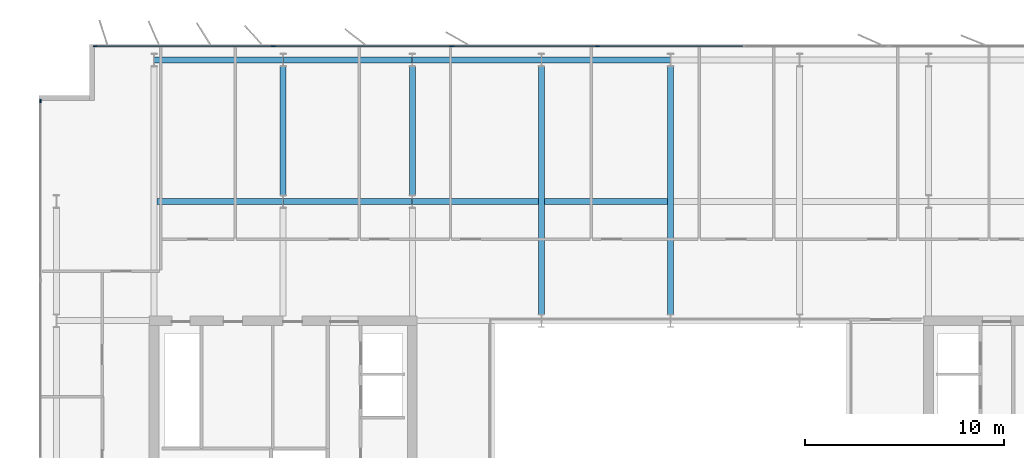
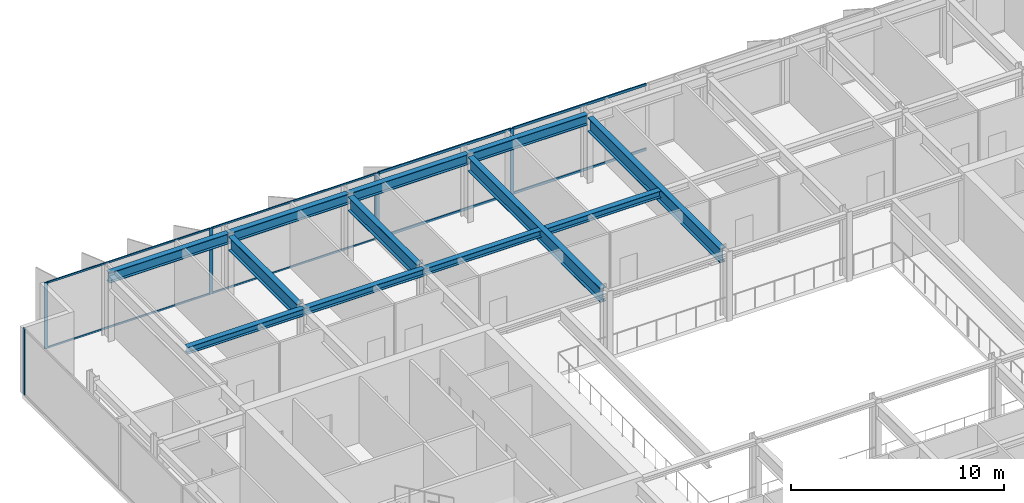
# One storey, part 8 of 20: 14 members, 12 beams, 3 elements without a shape of their own.
"""IFC4 building model written with IfcOpenShell, lengths in metres."""

import ifcopenshell
import ifcopenshell.guid

model = None  # the IFC model being written
_history = None  # IfcOwnerHistory: only IFC2X3 demands one
_inside = {}  # id of a spatial element -> (the spatial element, [elements in it])
_under = {}  # id of a project, library or spatial element -> (it, [spatial elements below it])
_declared = {}  # id of a project -> (the project, [libraries it declares])
_typed = {}  # id of a type object -> (the type object, [elements of that type])
_made_of = {}  # id of a material, layer set ... -> (it, [elements and type objects made of it])


def new_model(schema):
    """Start an empty IFC model of exactly this schema.

    Asked for "IFC4X3", IfcOpenShell would pick the latest addendum, in which some entities
    have other attributes; the version numbers below select the first issue.
    IFC2X3 requires an IfcOwnerHistory on every rooted entity: one is made here for all.
    """
    global model, _history
    if schema == "IFC4X3":
        model = ifcopenshell.file(schema_version=(4, 3, 0, 0))
    else:
        model = ifcopenshell.file(schema=schema)
    _inside.clear()
    _under.clear()
    _declared.clear()
    _typed.clear()
    _made_of.clear()
    _history = None
    if model.schema == "IFC2X3":
        org = make("IfcOrganization", Name="unknown")
        user = make(
            "IfcPersonAndOrganization",
            ThePerson=make("IfcPerson", FamilyName="unknown"),
            TheOrganization=org,
        )
        app = make(
            "IfcApplication",
            ApplicationDeveloper=org,
            Version="unknown",
            ApplicationFullName="unknown",
            ApplicationIdentifier="unknown",
        )
        _history = make(
            "IfcOwnerHistory",
            OwningUser=user,
            OwningApplication=app,
            ChangeAction="ADDED",
            CreationDate=0,
        )
    return model


def make(cls, **values):
    """One entity of the class cls with the attributes given. An attribute that is None is left unset."""
    return model.create_entity(
        cls, **{name: value for name, value in values.items() if value is not None}
    )


def rooted(cls, **values):
    """An entity with a GlobalId (a new one), such as an element, a storey or a relation."""
    return make(cls, GlobalId=ifcopenshell.guid.new(), OwnerHistory=_history, **values)


def si_unit(unit_type, name, prefix=None):
    """IfcSIUnit, for example si_unit("LENGTHUNIT", "METRE", prefix="MILLI")."""
    return make("IfcSIUnit", UnitType=unit_type, Prefix=prefix, Name=name)


def assignment(units):
    """IfcUnitAssignment: the units of a project."""
    return None if units is None else make("IfcUnitAssignment", Units=units)


def point(xyz):
    """IfcCartesianPoint."""
    return None if xyz is None else make("IfcCartesianPoint", Coordinates=xyz)


def direction(xyz):
    """IfcDirection."""
    return None if xyz is None else make("IfcDirection", DirectionRatios=xyz)


def frame(location, z_axis=None, x_axis=None):
    """IfcAxis2Placement3D, a coordinate frame: its origin and axes. An axis left out is left unset."""
    return make(
        "IfcAxis2Placement3D",
        Location=point(location),
        Axis=direction(z_axis),
        RefDirection=direction(x_axis),
    )


def frame_2d(location, x_axis=None):
    """IfcAxis2Placement2D, a coordinate frame in the plane: its origin and x axis."""
    return make(
        "IfcAxis2Placement2D", Location=point(location), RefDirection=direction(x_axis)
    )


def origin():
    """The frame at (0, 0, 0) with its axes left unset."""
    return frame((0.0, 0.0, 0.0))


def origin_2d():
    """The frame at (0, 0) in the plane with its x axis left unset."""
    return frame_2d((0.0, 0.0))


def place(relative_to, where):
    """IfcLocalPlacement: puts the frame where relative to a parent placement (None: the world)."""
    return make(
        "IfcLocalPlacement", PlacementRelTo=relative_to, RelativePlacement=where
    )


def context(
    kind, dimensions, precision=None, world=None, true_north=None, identifier=None
):
    """IfcGeometricRepresentationContext, for example the 3D "Model" context."""
    return make(
        "IfcGeometricRepresentationContext",
        ContextIdentifier=identifier,
        ContextType=kind,
        CoordinateSpaceDimension=dimensions,
        Precision=precision,
        WorldCoordinateSystem=world,
        TrueNorth=true_north,
    )


def subcontext(parent, identifier, kind, view, scale=None):
    """IfcGeometricRepresentationSubContext, for example "Body" below "Model"."""
    return make(
        "IfcGeometricRepresentationSubContext",
        ContextIdentifier=identifier,
        ContextType=kind,
        ParentContext=parent,
        TargetScale=scale,
        TargetView=view,
    )


def project(units=None, contexts=None):
    """IfcProject with its units and contexts."""
    return rooted(
        "IfcProject",
        Name="project",
        RepresentationContexts=contexts,
        UnitsInContext=assignment(units),
    )


def spatial(cls, under=None, at=None, **own):
    """A site, building, storey or space (cls), placed at a placement, below another one or the project."""
    s = rooted(cls, ObjectPlacement=at, **own)
    if under is not None:
        _under.setdefault(under.id(), (under, []))[1].append(s)
    return s


def profile(cls, at=None, kind="AREA", **sizes):
    """A parametric profile (cls). Its sizes go by their IFC names, for example OverallWidth=200.0."""
    return make(cls, ProfileType=kind, Position=at, **sizes)


def rectangle(**sizes):
    """IfcRectangleProfileDef."""
    return profile("IfcRectangleProfileDef", **sizes)


def i_section(**sizes):
    """IfcIShapeProfileDef."""
    return profile("IfcIShapeProfileDef", **sizes)


def extrude(swept, where, along, depth):
    """IfcExtrudedAreaSolid: the profile swept, set in the frame where, extruded along a direction by depth."""
    return make(
        "IfcExtrudedAreaSolid",
        SweptArea=swept,
        Position=where,
        ExtrudedDirection=direction(along),
        Depth=depth,
    )


def shape(context_of_items, identifier, shape_type, items):
    """IfcShapeRepresentation: the items that make up one representation, for example the "Body"."""
    return make(
        "IfcShapeRepresentation",
        ContextOfItems=context_of_items,
        RepresentationIdentifier=identifier,
        RepresentationType=shape_type,
        Items=items,
    )


def material(Name=None, Category=None):
    """IfcMaterial."""
    return make("IfcMaterial", Name=Name, Category=Category)


def layer(
    of_material, thickness, ventilated=None, Name=None, Category=None, Priority=None
):
    """IfcMaterialLayer: one layer of a wall or slab, of a material (None: an air gap)."""
    return make(
        "IfcMaterialLayer",
        Material=of_material,
        LayerThickness=thickness,
        IsVentilated=ventilated,
        Name=Name,
        Category=Category,
        Priority=Priority,
    )


def layer_set(layers, Name=None):
    """IfcMaterialLayerSet."""
    return make("IfcMaterialLayerSet", MaterialLayers=layers, LayerSetName=Name)


def material_profile(
    of_material, cross_section, Name=None, Category=None, Priority=None
):
    """IfcMaterialProfile: a cross section and its material."""
    return make(
        "IfcMaterialProfile",
        Name=Name,
        Material=of_material,
        Profile=cross_section,
        Priority=Priority,
        Category=Category,
    )


def profile_set(profiles, Name=None, composite=None):
    """IfcMaterialProfileSet."""
    return make(
        "IfcMaterialProfileSet",
        Name=Name,
        MaterialProfiles=profiles,
        CompositeProfile=composite,
    )


def made_of(thing, what):
    """Note that an element or type object is made of a material, layer set ...; save() writes the relation."""
    if what is not None:
        _made_of.setdefault(what.id(), (what, []))[1].append(thing)
    return thing


def type_object(cls, material=None, **own):
    """A type object (cls), such as IfcWallType, which elements share."""
    return made_of(rooted(cls, **own), material)


def element(
    cls,
    number,
    at=None,
    inside=None,
    cuts=None,
    type_object=None,
    material=None,
    context=None,
    identifier="Body",
    shape_type=None,
    held_by="IfcProductDefinitionShape",
    body=None,
    shapes=None,
    **own,
):
    """One element of the class cls, such as IfcWall. Its Tag is "e" and its number.

    at: its placement. inside: the storey or other place that contains it. cuts: it is an
    opening in that element (IfcRelVoidsElement). A single representation is given by context,
    identifier, shape_type and body (its items); several are given by shapes. held_by: the class
    of the entity that holds the representations. save() writes the other relations.
    """
    e = rooted(cls, Tag="e%d" % number, ObjectPlacement=at, **own)
    if body is not None:
        shapes = [shape(context, identifier, shape_type, body)]
    if shapes is not None:
        e.Representation = make(held_by, Representations=shapes)
    if inside is not None:
        _inside.setdefault(inside.id(), (inside, []))[1].append(e)
    if cuts is not None:
        rooted(
            "IfcRelVoidsElement", RelatingBuildingElement=cuts, RelatedOpeningElement=e
        )
    if type_object is not None:
        _typed.setdefault(type_object.id(), (type_object, []))[1].append(e)
    return made_of(e, material)


def aggregate(whole, parts):
    """IfcRelAggregates: a whole, such as a stair, and the parts it consists of."""
    return rooted("IfcRelAggregates", RelatingObject=whole, RelatedObjects=parts)


def save(model, path):
    """Write the relations noted so far, then the file.

    IfcRelAggregates (storeys below a building ...), IfcRelContainedInSpatialStructure (elements
    in a storey), IfcRelDefinesByType, IfcRelAssociatesMaterial and IfcRelDeclares: one each for
    every whole, place, type object, material and project.
    """
    for whole, parts in _under.values():
        aggregate(whole, parts)
    for where, things in _inside.values():
        rooted(
            "IfcRelContainedInSpatialStructure",
            RelatedElements=things,
            RelatingStructure=where,
        )
    for kind, things in _typed.values():
        rooted("IfcRelDefinesByType", RelatedObjects=things, RelatingType=kind)
    for what, things in _made_of.values():
        rooted("IfcRelAssociatesMaterial", RelatedObjects=things, RelatingMaterial=what)
    for by, libraries in _declared.values():
        rooted("IfcRelDeclares", RelatingContext=by, RelatedDefinitions=libraries)
    model.write(path)


model = new_model("IFC4")

# Units and contexts
model_context = context("Model", 3, precision=1e-05, world=origin(), true_north=direction((0.0, 1.0)))
body_context = subcontext(model_context, "Body", "Model", "MODEL_VIEW")
ifc_project = project(units=[si_unit("LENGTHUNIT", "METRE"), si_unit("AREAUNIT", "SQUARE_METRE"), si_unit("VOLUMEUNIT", "CUBIC_METRE"), si_unit("PLANEANGLEUNIT", "RADIAN"), si_unit("MASSUNIT", "GRAM", prefix="KILO")], contexts=[model_context])

# Site, building, storey
site_placement = place(None, origin())
site = spatial("IfcSite", under=ifc_project, at=site_placement, CompositionType="ELEMENT")
building_placement = place(site_placement, origin())
building = spatial("IfcBuilding", under=site, at=building_placement, Name="Putna Gate Headquarters", CompositionType="ELEMENT")
storey_placement = place(building_placement, frame((0.0, 0.0, 294.39990234375)))
storey = spatial("IfcBuildingStorey", under=building, at=storey_placement, Name="L74", CompositionType="ELEMENT", Elevation=294.39990234375)

# Beams
ifc_material_1 = material(Name="Steel S355J2", Category="steel")
ifc_material_profile_1 = material_profile(ifc_material_1, i_section(OverallWidth=0.300048828125, OverallDepth=0.800048828125, WebThickness=0.017578125, FlangeThickness=0.032958984375, at=origin_2d()), Name="Steel S355J2")
ifc_profile_set_1 = profile_set([ifc_material_profile_1], Name="Steel S355J2")
beam_type_1 = type_object("IfcBeamType", Name="BM-GIRD-P-HEB800", PredefinedType="USERDEFINED", material=ifc_profile_set_1)
for number, where, z_axis, x_axis, name in (
    (1, (19.5, 39.322021484375, 3.38818359375), (0.0, 1.0, 0.0), (-1.0, 0.0, 0.0), "L74 North Primary Girder X19-2"),
    (2, (26.0, 39.322021484375, 3.38818359375), (0.0, 1.0, 0.0), (-1.0, 0.0, 0.0), "L74 North Primary Girder X26-2"),
):
    element("IfcBeam", number, at=place(storey_placement, frame(where, z_axis=z_axis, x_axis=x_axis)), inside=storey, type_object=beam_type_1, Name=name, ObjectType="GIRDER", PredefinedType="USERDEFINED", context=body_context, shape_type="SweptSolid", body=[
        extrude(i_section(OverallWidth=0.300048828125, OverallDepth=0.800048828125, WebThickness=0.017578125, FlangeThickness=0.032958984375, at=origin_2d()), origin(), (0.0, 0.0, 1.0), 6.47607421875),
    ])
for number, where, z_axis, x_axis, name in (
    (3, (32.5, 33.322021484375, 3.38818359375), (0.0, 1.0, 0.0), (-1.0, 0.0, 0.0), "L74 North Primary Girder X32"),
    (4, (39.0, 33.322021484375, 3.38818359375), (0.0, 1.0, 0.0), (-1.0, 0.0, 0.0), "L74 North Primary Girder X39"),
):
    element("IfcBeam", number, at=place(storey_placement, frame(where, z_axis=z_axis, x_axis=x_axis)), inside=storey, type_object=beam_type_1, Name=name, ObjectType="GIRDER", PredefinedType="USERDEFINED", context=body_context, shape_type="SweptSolid", body=[
        extrude(i_section(OverallWidth=0.300048828125, OverallDepth=0.800048828125, WebThickness=0.017578125, FlangeThickness=0.032958984375, at=origin_2d()), origin(), (0.0, 0.0, 1.0), 12.47607421875),
    ])
ifc_material_profile_2 = material_profile(ifc_material_1, i_section(OverallWidth=0.300048828125, OverallDepth=0.389892578125, WebThickness=0.010986328125, FlangeThickness=0.01904296875, at=origin_2d()), Name="Steel S355J2")
ifc_profile_set_2 = profile_set([ifc_material_profile_2], Name="Steel S355J2")
beam_type_2 = type_object("IfcBeamType", Name="BM-SEC-Z5-HEA400", PredefinedType="BEAM", material=ifc_profile_set_2)
beam_1_placement = place(storey_placement, frame((13.154052734375, 39.0, 3.593017578125), z_axis=(1.0, 0.0, 0.0), x_axis=(0.0, 1.0, 0.0)))
element("IfcBeam", 5, at=beam_1_placement, inside=storey, type_object=beam_type_2, Name="L74 North Secondary Beam 1", PredefinedType="BEAM", context=body_context, shape_type="SweptSolid", body=[
    extrude(i_section(OverallWidth=0.300048828125, OverallDepth=0.389892578125, WebThickness=0.010986328125, FlangeThickness=0.01904296875, at=origin_2d()), origin(), (0.0, 0.0, 1.0), 6.33984375),
])
beam_2_placement = place(storey_placement, frame((19.506103515625, 39.0, 3.593017578125), z_axis=(1.0, 0.0, 0.0), x_axis=(0.0, 1.0, 0.0)))
element("IfcBeam", 6, at=beam_2_placement, inside=storey, type_object=beam_type_2, Name="L74 North Secondary Beam 2", PredefinedType="BEAM", context=body_context, shape_type="SweptSolid", body=[
    extrude(i_section(OverallWidth=0.300048828125, OverallDepth=0.389892578125, WebThickness=0.010986328125, FlangeThickness=0.01904296875, at=origin_2d()), origin(), (0.0, 0.0, 1.0), 6.48779296875),
])
beam_3_placement = place(storey_placement, frame((26.006103515625, 39.0, 3.593017578125), z_axis=(1.0, 0.0, 0.0), x_axis=(0.0, 1.0, 0.0)))
element("IfcBeam", 7, at=beam_3_placement, inside=storey, type_object=beam_type_2, Name="L74 North Secondary Beam 3", PredefinedType="BEAM", context=body_context, shape_type="SweptSolid", body=[
    extrude(i_section(OverallWidth=0.300048828125, OverallDepth=0.389892578125, WebThickness=0.010986328125, FlangeThickness=0.01904296875, at=origin_2d()), origin(), (0.0, 0.0, 1.0), 6.33984375),
])
beam_4_placement = place(storey_placement, frame((32.654052734375, 39.0, 3.593017578125), z_axis=(1.0, 0.0, 0.0), x_axis=(0.0, 1.0, 0.0)))
element("IfcBeam", 8, at=beam_4_placement, inside=storey, type_object=beam_type_2, Name="L74 North Secondary Beam 4", PredefinedType="BEAM", context=body_context, shape_type="SweptSolid", body=[
    extrude(i_section(OverallWidth=0.300048828125, OverallDepth=0.389892578125, WebThickness=0.010986328125, FlangeThickness=0.01904296875, at=origin_2d()), origin(), (0.0, 0.0, 1.0), 6.19189453125),
])
ifc_material_profile_3 = material_profile(ifc_material_1, i_section(OverallWidth=0.300048828125, OverallDepth=0.590087890625, WebThickness=0.012939453125, FlangeThickness=0.02490234375, at=origin_2d()), Name="Steel S355J2")
ifc_profile_set_3 = profile_set([ifc_material_profile_3], Name="Steel S355J2")
beam_type_3 = type_object("IfcBeamType", Name="BM-SPAN-Z4-HEA600", PredefinedType="SPANDREL", material=ifc_profile_set_3)
for number, where, z_axis, x_axis, name in (
    (9, (13.006103515625, 46.1201171875, 3.4931640625), (1.0, 0.0, 0.0), (0.0, 1.0, 0.0), "L74 N Perimeter Spandrel 1"),
    (10, (19.506103515625, 46.1201171875, 3.4931640625), (1.0, 0.0, 0.0), (0.0, 1.0, 0.0), "L74 N Perimeter Spandrel 2"),
    (11, (26.006103515625, 46.1201171875, 3.4931640625), (1.0, 0.0, 0.0), (0.0, 1.0, 0.0), "L74 N Perimeter Spandrel 3"),
    (12, (32.506103515625, 46.1201171875, 3.4931640625), (1.0, 0.0, 0.0), (0.0, 1.0, 0.0), "L74 N Perimeter Spandrel 4"),
):
    element("IfcBeam", number, at=place(storey_placement, frame(where, z_axis=z_axis, x_axis=x_axis)), inside=storey, type_object=beam_type_3, Name=name, PredefinedType="SPANDREL", context=body_context, shape_type="SweptSolid", body=[
        extrude(i_section(OverallWidth=0.300048828125, OverallDepth=0.590087890625, WebThickness=0.012939453125, FlangeThickness=0.02490234375, at=origin_2d()), origin(), (0.0, 0.0, 1.0), 6.48779296875),
    ])

# Curtain wall, members
ifc_material_2 = material(Name="Anodised bronze aluminium curtain wall", Category="aluminium")
ifc_layer_1 = layer(ifc_material_2, 0.179931640625)
ifc_layer_set_1 = layer_set([ifc_layer_1], Name="Anodised bronze aluminium curtain wall")
curtain_wall_type_1 = type_object("IfcCurtainWallType", Name="CW-SYS-Z5", PredefinedType="USERDEFINED", material=ifc_layer_set_1)
curtain_wall_1_placement = place(storey_placement, origin())
curtain_wall_1 = element("IfcCurtainWall", 13, at=curtain_wall_1_placement, inside=storey, type_object=curtain_wall_type_1, Name="L74 North West Curtain Wall", ObjectType="STICK CURTAIN WALL", PredefinedType="USERDEFINED")
ifc_material_3 = material(Name="Anodised bronze aluminium EN AW-6060", Category="aluminium")
ifc_material_profile_4 = material_profile(ifc_material_3, rectangle(XDim=0.070068359375, YDim=0.179931640625, at=origin_2d()), Name="Anodised bronze aluminium EN AW-6060")
ifc_profile_set_4 = profile_set([ifc_material_profile_4], Name="Anodised bronze aluminium EN AW-6060")
member_type_1 = type_object("IfcMemberType", Name="MULL-CWM-5", PredefinedType="MULLION", material=ifc_profile_set_4)
member_1_placement = place(storey_placement, frame((10.034912109375, 46.820068359375, 0.0), z_axis=(0.0, 0.0, 1.0), x_axis=(0.0, 1.0, 0.0)))
member_1 = element("IfcMember", 14, at=member_1_placement, type_object=member_type_1, Name="CWS-5 mullion 1", PredefinedType="MULLION", context=body_context, shape_type="SweptSolid", body=[
    extrude(rectangle(XDim=0.070068359375, YDim=0.179931640625, at=origin_2d()), origin(), (0.0, 0.0, 1.0), 3.7880859375),
])
member_2_placement = place(storey_placement, frame((19.0, 46.820068359375, 0.0), z_axis=(0.0, 0.0, 1.0), x_axis=(0.0, 1.0, 0.0)))
member_2 = element("IfcMember", 15, at=member_2_placement, type_object=member_type_1, Name="CWS-5 mullion 2", PredefinedType="MULLION", context=body_context, shape_type="SweptSolid", body=[
    extrude(rectangle(XDim=0.070068359375, YDim=0.179931640625, at=origin_2d()), origin(), (0.0, 0.0, 1.0), 3.7880859375),
])
member_3_placement = place(storey_placement, frame((27.965087890625, 46.820068359375, 0.0), z_axis=(0.0, 0.0, 1.0), x_axis=(0.0, 1.0, 0.0)))
member_3 = element("IfcMember", 16, at=member_3_placement, type_object=member_type_1, Name="CWS-5 mullion 3", PredefinedType="MULLION", context=body_context, shape_type="SweptSolid", body=[
    extrude(rectangle(XDim=0.070068359375, YDim=0.179931640625, at=origin_2d()), origin(), (0.0, 0.0, 1.0), 3.7880859375),
])

# Curtain wall, member
curtain_wall_2_placement = place(storey_placement, origin())
curtain_wall_2 = element("IfcCurtainWall", 17, at=curtain_wall_2_placement, inside=storey, type_object=curtain_wall_type_1, Name="L74 West Curtain Wall", ObjectType="STICK CURTAIN WALL", PredefinedType="USERDEFINED")
member_4_placement = place(storey_placement, frame((7.280029296875, 44.06494140625, 0.0), z_axis=(0.0, 0.0, 1.0), x_axis=(-1.0, 0.0, 0.0)))
member_4 = element("IfcMember", 18, at=member_4_placement, type_object=member_type_1, Name="CWS-5 mullion 5", PredefinedType="MULLION", context=body_context, shape_type="SweptSolid", body=[
    extrude(rectangle(XDim=0.070068359375, YDim=0.179931640625, at=origin_2d()), origin(), (0.0, 0.0, 1.0), 3.7880859375),
])
aggregate(curtain_wall_2, [member_4])

# Curtain wall, members
ifc_layer_2 = layer(ifc_material_2, 0.179931640625)
ifc_layer_set_2 = layer_set([ifc_layer_2], Name="Anodised bronze aluminium curtain wall")
curtain_wall_type_2 = type_object("IfcCurtainWallType", Name="CW-SYS-ATR", PredefinedType="USERDEFINED", material=ifc_layer_set_2)
curtain_wall_3_placement = place(storey_placement, origin())
curtain_wall_3 = element("IfcCurtainWall", 19, at=curtain_wall_3_placement, inside=storey, type_object=curtain_wall_type_2, Name="L74 North Atrium Clear Glazing", ObjectType="ATRIUM GLAZING", PredefinedType="USERDEFINED")
ifc_material_profile_5 = material_profile(ifc_material_3, rectangle(XDim=0.070068359375, YDim=0.179931640625, at=origin_2d()), Name="Anodised bronze aluminium EN AW-6060")
ifc_profile_set_5 = profile_set([ifc_material_profile_5], Name="Anodised bronze aluminium EN AW-6060")
member_type_2 = type_object("IfcMemberType", Name="MULL-CWM-AT", PredefinedType="MULLION", material=ifc_profile_set_5)
member_5_placement = place(storey_placement, frame((28.034912109375, 46.820068359375, 0.0), z_axis=(0.0, 0.0, 1.0), x_axis=(0.0, 1.0, 0.0)))
member_5 = element("IfcMember", 20, at=member_5_placement, type_object=member_type_2, Name="CWS-AT mullion 1", PredefinedType="MULLION", context=body_context, shape_type="SweptSolid", body=[
    extrude(rectangle(XDim=0.070068359375, YDim=0.179931640625, at=origin_2d()), origin(), (0.0, 0.0, 1.0), 3.7880859375),
])
member_6_placement = place(storey_placement, frame((35.333251953125, 46.820068359375, 0.0), z_axis=(0.0, 0.0, 1.0), x_axis=(0.0, 1.0, 0.0)))
member_6 = element("IfcMember", 21, at=member_6_placement, type_object=member_type_2, Name="CWS-AT mullion 2", PredefinedType="MULLION", context=body_context, shape_type="SweptSolid", body=[
    extrude(rectangle(XDim=0.070068359375, YDim=0.179931640625, at=origin_2d()), origin(), (0.0, 0.0, 1.0), 3.7880859375),
])

# Member
ifc_material_profile_6 = material_profile(ifc_material_3, rectangle(XDim=0.06005859375, YDim=0.10009765625, at=origin_2d()), Name="Anodised bronze aluminium EN AW-6060")
ifc_profile_set_6 = profile_set([ifc_material_profile_6], Name="Anodised bronze aluminium EN AW-6060")
member_type_3 = type_object("IfcMemberType", Name="TRAN-CWT-5", PredefinedType="USERDEFINED", material=ifc_profile_set_6)
member_7_placement = place(storey_placement, frame((10.070068359375, 46.820068359375, 0.030029296875), z_axis=(1.0, 0.0, 0.0), x_axis=(0.0, 1.0, 0.0)))
member_7 = element("IfcMember", 22, at=member_7_placement, type_object=member_type_3, Name="CWS-5 transom 1.1", ObjectType="TRANSOM", PredefinedType="USERDEFINED", context=body_context, shape_type="SweptSolid", body=[
    extrude(rectangle(XDim=0.06005859375, YDim=0.10009765625, at=origin_2d()), origin(), (0.0, 0.0, 1.0), 8.89501953125),
])

member_8_placement = place(storey_placement, frame((10.070068359375, 46.820068359375, 3.758056640625), z_axis=(1.0, 0.0, 0.0), x_axis=(0.0, 1.0, 0.0)))
member_8 = element("IfcMember", 23, at=member_8_placement, type_object=member_type_3, Name="CWS-5 transom 1.2", ObjectType="TRANSOM", PredefinedType="USERDEFINED", context=body_context, shape_type="SweptSolid", body=[
    extrude(rectangle(XDim=0.06005859375, YDim=0.10009765625, at=origin_2d()), origin(), (0.0, 0.0, 1.0), 8.89501953125),
])

member_9_placement = place(storey_placement, frame((19.034912109375, 46.820068359375, 0.030029296875), z_axis=(1.0, 0.0, 0.0), x_axis=(0.0, 1.0, 0.0)))
member_9 = element("IfcMember", 24, at=member_9_placement, type_object=member_type_3, Name="CWS-5 transom 2.1", ObjectType="TRANSOM", PredefinedType="USERDEFINED", context=body_context, shape_type="SweptSolid", body=[
    extrude(rectangle(XDim=0.06005859375, YDim=0.10009765625, at=origin_2d()), origin(), (0.0, 0.0, 1.0), 8.89501953125),
])

member_10_placement = place(storey_placement, frame((19.034912109375, 46.820068359375, 3.758056640625), z_axis=(1.0, 0.0, 0.0), x_axis=(0.0, 1.0, 0.0)))
member_10 = element("IfcMember", 25, at=member_10_placement, type_object=member_type_3, Name="CWS-5 transom 2.2", ObjectType="TRANSOM", PredefinedType="USERDEFINED", context=body_context, shape_type="SweptSolid", body=[
    extrude(rectangle(XDim=0.06005859375, YDim=0.10009765625, at=origin_2d()), origin(), (0.0, 0.0, 1.0), 8.89501953125),
])

aggregate(curtain_wall_1, [member_1, member_2, member_3, member_7, member_8, member_9, member_10])

ifc_material_profile_7 = material_profile(ifc_material_3, rectangle(XDim=0.070068359375, YDim=0.139892578125, at=origin_2d()), Name="Anodised bronze aluminium EN AW-6060")
ifc_profile_set_7 = profile_set([ifc_material_profile_7], Name="Anodised bronze aluminium EN AW-6060")
member_type_4 = type_object("IfcMemberType", Name="TRAN-CWT-AT", PredefinedType="USERDEFINED", material=ifc_profile_set_7)
member_11_placement = place(storey_placement, frame((28.070068359375, 46.820068359375, 0.03515625), z_axis=(1.0, 0.0, 0.0), x_axis=(0.0, 1.0, 0.0)))
member_11 = element("IfcMember", 26, at=member_11_placement, type_object=member_type_4, Name="CWS-AT transom 1.1", ObjectType="TRANSOM", PredefinedType="USERDEFINED", context=body_context, shape_type="SweptSolid", body=[
    extrude(rectangle(XDim=0.070068359375, YDim=0.139892578125, at=origin_2d()), origin(), (0.0, 0.0, 1.0), 7.228271484375),
])

member_12_placement = place(storey_placement, frame((28.070068359375, 46.820068359375, 3.753173828125), z_axis=(1.0, 0.0, 0.0), x_axis=(0.0, 1.0, 0.0)))
member_12 = element("IfcMember", 27, at=member_12_placement, type_object=member_type_4, Name="CWS-AT transom 1.2", ObjectType="TRANSOM", PredefinedType="USERDEFINED", context=body_context, shape_type="SweptSolid", body=[
    extrude(rectangle(XDim=0.070068359375, YDim=0.139892578125, at=origin_2d()), origin(), (0.0, 0.0, 1.0), 7.228271484375),
])

member_13_placement = place(storey_placement, frame((35.368408203125, 46.820068359375, 0.03515625), z_axis=(1.0, 0.0, 0.0), x_axis=(0.0, 1.0, 0.0)))
member_13 = element("IfcMember", 28, at=member_13_placement, type_object=member_type_4, Name="CWS-AT transom 2.1", ObjectType="TRANSOM", PredefinedType="USERDEFINED", context=body_context, shape_type="SweptSolid", body=[
    extrude(rectangle(XDim=0.070068359375, YDim=0.139892578125, at=origin_2d()), origin(), (0.0, 0.0, 1.0), 7.26318359375),
])

member_14_placement = place(storey_placement, frame((35.368408203125, 46.820068359375, 3.753173828125), z_axis=(1.0, 0.0, 0.0), x_axis=(0.0, 1.0, 0.0)))
member_14 = element("IfcMember", 29, at=member_14_placement, type_object=member_type_4, Name="CWS-AT transom 2.2", ObjectType="TRANSOM", PredefinedType="USERDEFINED", context=body_context, shape_type="SweptSolid", body=[
    extrude(rectangle(XDim=0.070068359375, YDim=0.139892578125, at=origin_2d()), origin(), (0.0, 0.0, 1.0), 7.26318359375),
])

aggregate(curtain_wall_3, [member_5, member_6, member_11, member_12, member_13, member_14])

save(model, "model.ifc")
